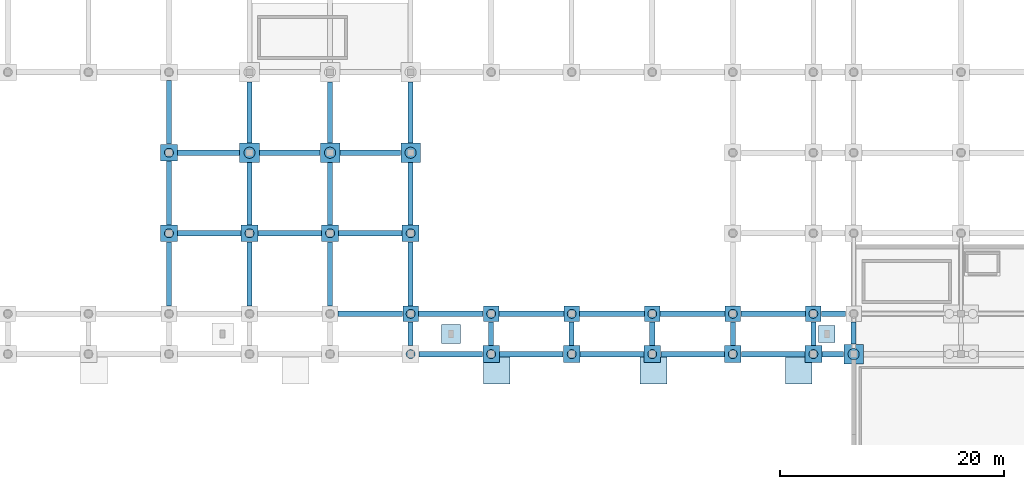
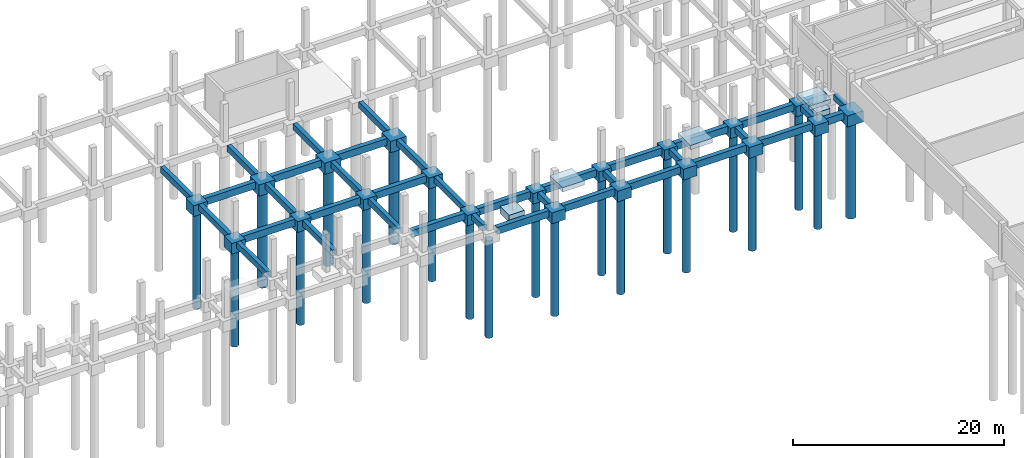
# One storey, part 6 of 20: 63 footings, 21 piles.
"""IFC4 building model written with IfcOpenShell, lengths in metres."""

from ifc_helpers import new_model, si_unit, direction, frame, origin, origin_2d, place, context, subcontext, project, spatial, polyline, rectangle, circle, outline, extrude, material, material_profile, profile_set, type_object, element, save


model = new_model("IFC4")

# Units and contexts
model_context = context("Model", 3, precision=1e-05, world=origin(), true_north=direction((0.0, 1.0)))
body_context = subcontext(model_context, "Body", "Model", "MODEL_VIEW")
ifc_project = project(units=[si_unit("LENGTHUNIT", "METRE"), si_unit("AREAUNIT", "SQUARE_METRE"), si_unit("VOLUMEUNIT", "CUBIC_METRE"), si_unit("PLANEANGLEUNIT", "RADIAN"), si_unit("MASSUNIT", "GRAM", prefix="KILO")], contexts=[model_context])

# Site, building, storey
site_placement = place(None, origin())
site = spatial("IfcSite", under=ifc_project, at=site_placement, CompositionType="ELEMENT")
building_placement = place(site_placement, origin())
building = spatial("IfcBuilding", under=site, at=building_placement, Name="Nzembalo Square Collegiate School", CompositionType="ELEMENT")
storey_placement = place(building_placement, frame((0.0, 0.0, -4.080078125)))
storey = spatial("IfcBuildingStorey", under=building, at=storey_placement, Name="B1", CompositionType="ELEMENT", Elevation=-4.080078125)

# Footings
ifc_material_1 = material(Name="Concrete C35/45", Category="concrete")
footing_type_1 = type_object("IfcFootingType", Name="PC05", PredefinedType="PILE_CAP", material=ifc_material_1)
for number, where, z_axis, x_axis, name in (
    (1, (76.800048828125, 97.199951171875, -1.60009765625), (0.0, 0.0, 1.0), (1.0, 0.0, 0.0), "Pile cap PC05 at 12/O"),
    (2, (84.0, 97.199951171875, -1.60009765625), (0.0, 0.0, 1.0), (1.0, 0.0, 0.0), "Pile cap PC05 at 13/O"),
    (3, (91.199951171875, 97.199951171875, -1.60009765625), (0.0, 0.0, 1.0), (1.0, 0.0, 0.0), "Pile cap PC05 at 14/O"),
    (4, (130.800048828125, 79.199951171875, -1.60009765625), (0.0, 0.0, 1.0), (1.0, 0.0, 0.0), "Pile cap PC05 at 20/L"),
):
    element("IfcFooting", number, at=place(storey_placement, frame(where, z_axis=z_axis, x_axis=x_axis)), inside=storey, type_object=footing_type_1, Name=name, PredefinedType="PILE_CAP", context=body_context, shape_type="SweptSolid", body=[
        extrude(rectangle(XDim=1.75, YDim=1.75, at=origin_2d()), origin(), (0.0, 0.0, 1.0), 1.300048828125),
    ])
ifc_material_2 = material(Name="Concrete C35/45", Category="concrete")
footing_type_2 = type_object("IfcFootingType", Name="PC06", PredefinedType="PILE_CAP", material=ifc_material_2)
for number, where, z_axis, x_axis, name in (
    (5, (69.60009765625, 90.0, -1.5498046875), (0.0, 0.0, 1.0), (1.0, 0.0, 0.0), "Pile cap PC06 at 11/N"),
    (6, (69.60009765625, 97.199951171875, -1.5498046875), (0.0, 0.0, 1.0), (1.0, 0.0, 0.0), "Pile cap PC06 at 11/O"),
    (7, (76.800048828125, 90.0, -1.5498046875), (0.0, 0.0, 1.0), (1.0, 0.0, 0.0), "Pile cap PC06 at 12/N"),
    (8, (84.0, 90.0, -1.5498046875), (0.0, 0.0, 1.0), (1.0, 0.0, 0.0), "Pile cap PC06 at 13/N"),
    (9, (91.199951171875, 90.0, -1.5498046875), (0.0, 0.0, 1.0), (1.0, 0.0, 0.0), "Pile cap PC06 at 14/N"),
    (10, (98.39990234375, 79.199951171875, -1.5498046875), (0.0, 0.0, 1.0), (1.0, 0.0, 0.0), "Pile cap PC06 at 15/L"),
    (11, (105.60009765625, 79.199951171875, -1.5498046875), (0.0, 0.0, 1.0), (1.0, 0.0, 0.0), "Pile cap PC06 at 16/L"),
    (12, (112.800048828125, 79.199951171875, -1.5498046875), (0.0, 0.0, 1.0), (1.0, 0.0, 0.0), "Pile cap PC06 at 17/L"),
    (13, (120.0, 79.199951171875, -1.5498046875), (0.0, 0.0, 1.0), (1.0, 0.0, 0.0), "Pile cap PC06 at 18/L"),
    (14, (127.199951171875, 79.199951171875, -1.5498046875), (0.0, 0.0, 1.0), (1.0, 0.0, 0.0), "Pile cap PC06 at 19/L"),
):
    element("IfcFooting", number, at=place(storey_placement, frame(where, z_axis=z_axis, x_axis=x_axis)), inside=storey, type_object=footing_type_2, Name=name, PredefinedType="PILE_CAP", context=body_context, shape_type="SweptSolid", body=[
        extrude(rectangle(XDim=1.5, YDim=1.5, at=origin_2d()), origin(), (0.0, 0.0, 1.0), 1.25),
    ])
ifc_material_3 = material(Name="Concrete C35/45", Category="concrete")
footing_type_3 = type_object("IfcFootingType", Name="PC07", PredefinedType="PILE_CAP", material=ifc_material_3)
for number, where, z_axis, x_axis, name in (
    (15, (91.199951171875, 82.800048828125, -1.5), (0.0, 0.0, 1.0), (1.0, 0.0, 0.0), "Pile cap PC07 at 14/M"),
    (16, (98.39990234375, 82.800048828125, -1.5), (0.0, 0.0, 1.0), (1.0, 0.0, 0.0), "Pile cap PC07 at 15/M"),
    (17, (105.60009765625, 82.800048828125, -1.5), (0.0, 0.0, 1.0), (1.0, 0.0, 0.0), "Pile cap PC07 at 16/M"),
    (18, (112.800048828125, 82.800048828125, -1.5), (0.0, 0.0, 1.0), (1.0, 0.0, 0.0), "Pile cap PC07 at 17/M"),
    (19, (120.0, 82.800048828125, -1.5), (0.0, 0.0, 1.0), (1.0, 0.0, 0.0), "Pile cap PC07 at 18/M"),
    (20, (127.199951171875, 82.800048828125, -1.5), (0.0, 0.0, 1.0), (1.0, 0.0, 0.0), "Pile cap PC07 at 19/M"),
):
    element("IfcFooting", number, at=place(storey_placement, frame(where, z_axis=z_axis, x_axis=x_axis)), inside=storey, type_object=footing_type_3, Name=name, PredefinedType="PILE_CAP", context=body_context, shape_type="SweptSolid", body=[
        extrude(rectangle(XDim=1.39990234375, YDim=1.39990234375, at=origin_2d()), origin(), (0.0, 0.0, 1.0), 1.199951171875),
    ])
ifc_material_4 = material(Name="Concrete C30/37", Category="concrete")
footing_type_4 = type_object("IfcFootingType", Name="FG01", PredefinedType="FOOTING_BEAM", material=ifc_material_4)
footing_1_placement = place(storey_placement, frame((0.0, 0.0, -1.099853515625)))
element("IfcFooting", 21, at=footing_1_placement, inside=storey, type_object=footing_type_4, Name="Ground beam FG01 14-15/L", PredefinedType="FOOTING_BEAM", context=body_context, shape_type="SweptSolid", body=[
    extrude(outline(polyline([(91.9599609375, 78.949951171875), (97.639892578125, 78.949951171875), (97.639892578125, 79.449951171875), (91.9599609375, 79.449951171875), (91.9599609375, 78.949951171875)])), origin(), (0.0, 0.0, 1.0), 0.800048828125),
])
footing_2_placement = place(storey_placement, frame((0.0, 0.0, -1.099853515625)))
element("IfcFooting", 22, at=footing_2_placement, inside=storey, type_object=footing_type_4, Name="Ground beam FG01 15-16/L", PredefinedType="FOOTING_BEAM", context=body_context, shape_type="SweptSolid", body=[
    extrude(outline(polyline([(99.159912109375, 78.949951171875), (104.840087890625, 78.949951171875), (104.840087890625, 79.449951171875), (99.159912109375, 79.449951171875), (99.159912109375, 78.949951171875)])), origin(), (0.0, 0.0, 1.0), 0.800048828125),
])
footing_3_placement = place(storey_placement, frame((0.0, 0.0, -1.099853515625)))
element("IfcFooting", 23, at=footing_3_placement, inside=storey, type_object=footing_type_4, Name="Ground beam FG01 16-17/L", PredefinedType="FOOTING_BEAM", context=body_context, shape_type="SweptSolid", body=[
    extrude(outline(polyline([(106.360107421875, 78.949951171875), (112.0400390625, 78.949951171875), (112.0400390625, 79.449951171875), (106.360107421875, 79.449951171875), (106.360107421875, 78.949951171875)])), origin(), (0.0, 0.0, 1.0), 0.800048828125),
])
footing_4_placement = place(storey_placement, frame((0.0, 0.0, -1.099853515625)))
element("IfcFooting", 24, at=footing_4_placement, inside=storey, type_object=footing_type_4, Name="Ground beam FG01 17-18/L", PredefinedType="FOOTING_BEAM", context=body_context, shape_type="SweptSolid", body=[
    extrude(outline(polyline([(113.56005859375, 78.949951171875), (119.239990234375, 78.949951171875), (119.239990234375, 79.449951171875), (113.56005859375, 79.449951171875), (113.56005859375, 78.949951171875)])), origin(), (0.0, 0.0, 1.0), 0.800048828125),
])
footing_5_placement = place(storey_placement, frame((0.0, 0.0, -1.099853515625)))
element("IfcFooting", 25, at=footing_5_placement, inside=storey, type_object=footing_type_4, Name="Ground beam FG01 18-19/L", PredefinedType="FOOTING_BEAM", context=body_context, shape_type="SweptSolid", body=[
    extrude(outline(polyline([(120.760009765625, 78.949951171875), (126.43994140625, 78.949951171875), (126.43994140625, 79.449951171875), (120.760009765625, 79.449951171875), (120.760009765625, 78.949951171875)])), origin(), (0.0, 0.0, 1.0), 0.800048828125),
])
footing_6_placement = place(storey_placement, frame((0.0, 0.0, -1.099853515625)))
element("IfcFooting", 26, at=footing_6_placement, inside=storey, type_object=footing_type_4, Name="Ground beam FG01 19-20/L", PredefinedType="FOOTING_BEAM", context=body_context, shape_type="SweptSolid", body=[
    extrude(outline(polyline([(127.9599609375, 78.949951171875), (129.9150390625, 78.949951171875), (129.9150390625, 79.449951171875), (127.9599609375, 79.449951171875), (127.9599609375, 78.949951171875)])), origin(), (0.0, 0.0, 1.0), 0.800048828125),
])
footing_7_placement = place(storey_placement, frame((0.0, 0.0, -1.099853515625)))
element("IfcFooting", 27, at=footing_7_placement, inside=storey, type_object=footing_type_4, Name="Ground beam FG01 13-14/M", PredefinedType="FOOTING_BEAM", context=body_context, shape_type="SweptSolid", body=[
    extrude(outline(polyline([(84.7099609375, 82.550048828125), (90.489990234375, 82.550048828125), (90.489990234375, 83.050048828125), (84.7099609375, 83.050048828125), (84.7099609375, 82.550048828125)])), origin(), (0.0, 0.0, 1.0), 0.800048828125),
])
footing_8_placement = place(storey_placement, frame((0.0, 0.0, -1.099853515625)))
element("IfcFooting", 28, at=footing_8_placement, inside=storey, type_object=footing_type_4, Name="Ground beam FG01 14-15/M", PredefinedType="FOOTING_BEAM", context=body_context, shape_type="SweptSolid", body=[
    extrude(outline(polyline([(91.909912109375, 82.550048828125), (97.68994140625, 82.550048828125), (97.68994140625, 83.050048828125), (91.909912109375, 83.050048828125), (91.909912109375, 82.550048828125)])), origin(), (0.0, 0.0, 1.0), 0.800048828125),
])
footing_9_placement = place(storey_placement, frame((0.0, 0.0, -1.099853515625)))
element("IfcFooting", 29, at=footing_9_placement, inside=storey, type_object=footing_type_4, Name="Ground beam FG01 15-16/M", PredefinedType="FOOTING_BEAM", context=body_context, shape_type="SweptSolid", body=[
    extrude(outline(polyline([(99.110107421875, 82.550048828125), (104.889892578125, 82.550048828125), (104.889892578125, 83.050048828125), (99.110107421875, 83.050048828125), (99.110107421875, 82.550048828125)])), origin(), (0.0, 0.0, 1.0), 0.800048828125),
])
footing_10_placement = place(storey_placement, frame((0.0, 0.0, -1.099853515625)))
element("IfcFooting", 30, at=footing_10_placement, inside=storey, type_object=footing_type_4, Name="Ground beam FG01 16-17/M", PredefinedType="FOOTING_BEAM", context=body_context, shape_type="SweptSolid", body=[
    extrude(outline(polyline([(106.31005859375, 82.550048828125), (112.090087890625, 82.550048828125), (112.090087890625, 83.050048828125), (106.31005859375, 83.050048828125), (106.31005859375, 82.550048828125)])), origin(), (0.0, 0.0, 1.0), 0.800048828125),
])
footing_11_placement = place(storey_placement, frame((0.0, 0.0, -1.099853515625)))
element("IfcFooting", 31, at=footing_11_placement, inside=storey, type_object=footing_type_4, Name="Ground beam FG01 17-18/M", PredefinedType="FOOTING_BEAM", context=body_context, shape_type="SweptSolid", body=[
    extrude(outline(polyline([(113.510009765625, 82.550048828125), (119.2900390625, 82.550048828125), (119.2900390625, 83.050048828125), (113.510009765625, 83.050048828125), (113.510009765625, 82.550048828125)])), origin(), (0.0, 0.0, 1.0), 0.800048828125),
])
footing_12_placement = place(storey_placement, frame((0.0, 0.0, -1.099853515625)))
element("IfcFooting", 32, at=footing_12_placement, inside=storey, type_object=footing_type_4, Name="Ground beam FG01 18-19/M", PredefinedType="FOOTING_BEAM", context=body_context, shape_type="SweptSolid", body=[
    extrude(outline(polyline([(120.7099609375, 82.550048828125), (126.489990234375, 82.550048828125), (126.489990234375, 83.050048828125), (120.7099609375, 83.050048828125), (120.7099609375, 82.550048828125)])), origin(), (0.0, 0.0, 1.0), 0.800048828125),
])
footing_13_placement = place(storey_placement, frame((0.0, 0.0, -1.099853515625)))
element("IfcFooting", 33, at=footing_13_placement, inside=storey, type_object=footing_type_4, Name="Ground beam FG01 19-20/M", PredefinedType="FOOTING_BEAM", context=body_context, shape_type="SweptSolid", body=[
    extrude(outline(polyline([(127.909912109375, 82.550048828125), (130.090087890625, 82.550048828125), (130.090087890625, 83.050048828125), (127.909912109375, 83.050048828125), (127.909912109375, 82.550048828125)])), origin(), (0.0, 0.0, 1.0), 0.800048828125),
])
footing_14_placement = place(storey_placement, frame((0.0, 0.0, -1.099853515625)))
element("IfcFooting", 34, at=footing_14_placement, inside=storey, type_object=footing_type_4, Name="Ground beam FG01 11-12/N", PredefinedType="FOOTING_BEAM", context=body_context, shape_type="SweptSolid", body=[
    extrude(outline(polyline([(70.360107421875, 89.75), (76.0400390625, 89.75), (76.0400390625, 90.25), (70.360107421875, 90.25), (70.360107421875, 89.75)])), origin(), (0.0, 0.0, 1.0), 0.800048828125),
])
footing_15_placement = place(storey_placement, frame((0.0, 0.0, -1.099853515625)))
element("IfcFooting", 35, at=footing_15_placement, inside=storey, type_object=footing_type_4, Name="Ground beam FG01 12-13/N", PredefinedType="FOOTING_BEAM", context=body_context, shape_type="SweptSolid", body=[
    extrude(outline(polyline([(77.56005859375, 89.75), (83.239990234375, 89.75), (83.239990234375, 90.25), (77.56005859375, 90.25), (77.56005859375, 89.75)])), origin(), (0.0, 0.0, 1.0), 0.800048828125),
])
footing_16_placement = place(storey_placement, frame((0.0, 0.0, -1.099853515625)))
element("IfcFooting", 36, at=footing_16_placement, inside=storey, type_object=footing_type_4, Name="Ground beam FG01 13-14/N", PredefinedType="FOOTING_BEAM", context=body_context, shape_type="SweptSolid", body=[
    extrude(outline(polyline([(84.760009765625, 89.75), (90.43994140625, 89.75), (90.43994140625, 90.25), (84.760009765625, 90.25), (84.760009765625, 89.75)])), origin(), (0.0, 0.0, 1.0), 0.800048828125),
])
footing_17_placement = place(storey_placement, frame((0.0, 0.0, -1.099853515625)))
element("IfcFooting", 37, at=footing_17_placement, inside=storey, type_object=footing_type_4, Name="Ground beam FG01 11-12/O", PredefinedType="FOOTING_BEAM", context=body_context, shape_type="SweptSolid", body=[
    extrude(outline(polyline([(70.360107421875, 96.949951171875), (75.9150390625, 96.949951171875), (75.9150390625, 97.449951171875), (70.360107421875, 97.449951171875), (70.360107421875, 96.949951171875)])), origin(), (0.0, 0.0, 1.0), 0.800048828125),
])
footing_18_placement = place(storey_placement, frame((0.0, 0.0, -1.099853515625)))
element("IfcFooting", 38, at=footing_18_placement, inside=storey, type_object=footing_type_4, Name="Ground beam FG01 12-13/O", PredefinedType="FOOTING_BEAM", context=body_context, shape_type="SweptSolid", body=[
    extrude(outline(polyline([(77.68505859375, 96.949951171875), (83.114990234375, 96.949951171875), (83.114990234375, 97.449951171875), (77.68505859375, 97.449951171875), (77.68505859375, 96.949951171875)])), origin(), (0.0, 0.0, 1.0), 0.800048828125),
])
footing_19_placement = place(storey_placement, frame((0.0, 0.0, -1.099853515625)))
element("IfcFooting", 39, at=footing_19_placement, inside=storey, type_object=footing_type_4, Name="Ground beam FG01 13-14/O", PredefinedType="FOOTING_BEAM", context=body_context, shape_type="SweptSolid", body=[
    extrude(outline(polyline([(84.885009765625, 96.949951171875), (90.31494140625, 96.949951171875), (90.31494140625, 97.449951171875), (84.885009765625, 97.449951171875), (84.885009765625, 96.949951171875)])), origin(), (0.0, 0.0, 1.0), 0.800048828125),
])
ifc_material_5 = material(Name="Concrete C30/37", Category="concrete")
footing_type_5 = type_object("IfcFootingType", Name="FG02", PredefinedType="FOOTING_BEAM", material=ifc_material_5)
footing_20_placement = place(storey_placement, frame((0.0, 0.0, -1.0)))
element("IfcFooting", 40, at=footing_20_placement, inside=storey, type_object=footing_type_5, Name="Ground beam FG02 11/M-N", PredefinedType="FOOTING_BEAM", context=body_context, shape_type="SweptSolid", body=[
    extrude(outline(polyline([(69.375, 83.510009765625), (69.824951171875, 83.510009765625), (69.824951171875, 89.239990234375), (69.375, 89.239990234375), (69.375, 83.510009765625)])), origin(), (0.0, 0.0, 1.0), 0.7001953125),
])
footing_21_placement = place(storey_placement, frame((0.0, 0.0, -1.0)))
element("IfcFooting", 41, at=footing_21_placement, inside=storey, type_object=footing_type_5, Name="Ground beam FG02 11/N-O", PredefinedType="FOOTING_BEAM", context=body_context, shape_type="SweptSolid", body=[
    extrude(outline(polyline([(69.375, 90.760009765625), (69.824951171875, 90.760009765625), (69.824951171875, 96.43994140625), (69.375, 96.43994140625), (69.375, 90.760009765625)])), origin(), (0.0, 0.0, 1.0), 0.7001953125),
])
footing_22_placement = place(storey_placement, frame((0.0, 0.0, -1.0)))
element("IfcFooting", 42, at=footing_22_placement, inside=storey, type_object=footing_type_5, Name="Ground beam FG02 11/O-P", PredefinedType="FOOTING_BEAM", context=body_context, shape_type="SweptSolid", body=[
    extrude(outline(polyline([(69.375, 97.9599609375), (69.824951171875, 97.9599609375), (69.824951171875, 103.639892578125), (69.375, 103.639892578125), (69.375, 97.9599609375)])), origin(), (0.0, 0.0, 1.0), 0.7001953125),
])
footing_23_placement = place(storey_placement, frame((0.0, 0.0, -1.0)))
element("IfcFooting", 43, at=footing_23_placement, inside=storey, type_object=footing_type_5, Name="Ground beam FG02 12/M-N", PredefinedType="FOOTING_BEAM", context=body_context, shape_type="SweptSolid", body=[
    extrude(outline(polyline([(76.574951171875, 83.510009765625), (77.02490234375, 83.510009765625), (77.02490234375, 89.239990234375), (76.574951171875, 89.239990234375), (76.574951171875, 83.510009765625)])), origin(), (0.0, 0.0, 1.0), 0.7001953125),
])
footing_24_placement = place(storey_placement, frame((0.0, 0.0, -1.0)))
element("IfcFooting", 44, at=footing_24_placement, inside=storey, type_object=footing_type_5, Name="Ground beam FG02 12/N-O", PredefinedType="FOOTING_BEAM", context=body_context, shape_type="SweptSolid", body=[
    extrude(outline(polyline([(76.574951171875, 90.760009765625), (77.02490234375, 90.760009765625), (77.02490234375, 96.31494140625), (76.574951171875, 96.31494140625), (76.574951171875, 90.760009765625)])), origin(), (0.0, 0.0, 1.0), 0.7001953125),
])
footing_25_placement = place(storey_placement, frame((0.0, 0.0, -1.0)))
element("IfcFooting", 45, at=footing_25_placement, inside=storey, type_object=footing_type_5, Name="Ground beam FG02 12/O-P", PredefinedType="FOOTING_BEAM", context=body_context, shape_type="SweptSolid", body=[
    extrude(outline(polyline([(76.574951171875, 98.0849609375), (77.02490234375, 98.0849609375), (77.02490234375, 103.514892578125), (76.574951171875, 103.514892578125), (76.574951171875, 98.0849609375)])), origin(), (0.0, 0.0, 1.0), 0.7001953125),
])
footing_26_placement = place(storey_placement, frame((0.0, 0.0, -1.0)))
element("IfcFooting", 46, at=footing_26_placement, inside=storey, type_object=footing_type_5, Name="Ground beam FG02 13/M-N", PredefinedType="FOOTING_BEAM", context=body_context, shape_type="SweptSolid", body=[
    extrude(outline(polyline([(83.77490234375, 83.510009765625), (84.22509765625, 83.510009765625), (84.22509765625, 89.239990234375), (83.77490234375, 89.239990234375), (83.77490234375, 83.510009765625)])), origin(), (0.0, 0.0, 1.0), 0.7001953125),
])
footing_27_placement = place(storey_placement, frame((0.0, 0.0, -1.0)))
element("IfcFooting", 47, at=footing_27_placement, inside=storey, type_object=footing_type_5, Name="Ground beam FG02 13/N-O", PredefinedType="FOOTING_BEAM", context=body_context, shape_type="SweptSolid", body=[
    extrude(outline(polyline([(83.77490234375, 90.760009765625), (84.22509765625, 90.760009765625), (84.22509765625, 96.31494140625), (83.77490234375, 96.31494140625), (83.77490234375, 90.760009765625)])), origin(), (0.0, 0.0, 1.0), 0.7001953125),
])
footing_28_placement = place(storey_placement, frame((0.0, 0.0, -1.0)))
element("IfcFooting", 48, at=footing_28_placement, inside=storey, type_object=footing_type_5, Name="Ground beam FG02 13/O-P", PredefinedType="FOOTING_BEAM", context=body_context, shape_type="SweptSolid", body=[
    extrude(outline(polyline([(83.77490234375, 98.0849609375), (84.22509765625, 98.0849609375), (84.22509765625, 103.514892578125), (83.77490234375, 103.514892578125), (83.77490234375, 98.0849609375)])), origin(), (0.0, 0.0, 1.0), 0.7001953125),
])
footing_29_placement = place(storey_placement, frame((0.0, 0.0, -1.0)))
element("IfcFooting", 49, at=footing_29_placement, inside=storey, type_object=footing_type_5, Name="Ground beam FG02 14/L-M", PredefinedType="FOOTING_BEAM", context=body_context, shape_type="SweptSolid", body=[
    extrude(outline(polyline([(90.97509765625, 79.9599609375), (91.425048828125, 79.9599609375), (91.425048828125, 82.090087890625), (90.97509765625, 82.090087890625), (90.97509765625, 79.9599609375)])), origin(), (0.0, 0.0, 1.0), 0.7001953125),
])
footing_30_placement = place(storey_placement, frame((0.0, 0.0, -1.0)))
element("IfcFooting", 50, at=footing_30_placement, inside=storey, type_object=footing_type_5, Name="Ground beam FG02 14/M-N", PredefinedType="FOOTING_BEAM", context=body_context, shape_type="SweptSolid", body=[
    extrude(outline(polyline([(90.97509765625, 83.510009765625), (91.425048828125, 83.510009765625), (91.425048828125, 89.239990234375), (90.97509765625, 89.239990234375), (90.97509765625, 83.510009765625)])), origin(), (0.0, 0.0, 1.0), 0.7001953125),
])
footing_31_placement = place(storey_placement, frame((0.0, 0.0, -1.0)))
element("IfcFooting", 51, at=footing_31_placement, inside=storey, type_object=footing_type_5, Name="Ground beam FG02 14/N-O", PredefinedType="FOOTING_BEAM", context=body_context, shape_type="SweptSolid", body=[
    extrude(outline(polyline([(90.97509765625, 90.760009765625), (91.425048828125, 90.760009765625), (91.425048828125, 96.31494140625), (90.97509765625, 96.31494140625), (90.97509765625, 90.760009765625)])), origin(), (0.0, 0.0, 1.0), 0.7001953125),
])
footing_32_placement = place(storey_placement, frame((0.0, 0.0, -1.0)))
element("IfcFooting", 52, at=footing_32_placement, inside=storey, type_object=footing_type_5, Name="Ground beam FG02 14/O-P", PredefinedType="FOOTING_BEAM", context=body_context, shape_type="SweptSolid", body=[
    extrude(outline(polyline([(90.97509765625, 98.0849609375), (91.425048828125, 98.0849609375), (91.425048828125, 103.514892578125), (90.97509765625, 103.514892578125), (90.97509765625, 98.0849609375)])), origin(), (0.0, 0.0, 1.0), 0.7001953125),
])
footing_33_placement = place(storey_placement, frame((0.0, 0.0, -1.0)))
element("IfcFooting", 53, at=footing_33_placement, inside=storey, type_object=footing_type_5, Name="Ground beam FG02 15/L-M", PredefinedType="FOOTING_BEAM", context=body_context, shape_type="SweptSolid", body=[
    extrude(outline(polyline([(98.175048828125, 79.9599609375), (98.625, 79.9599609375), (98.625, 82.090087890625), (98.175048828125, 82.090087890625), (98.175048828125, 79.9599609375)])), origin(), (0.0, 0.0, 1.0), 0.7001953125),
])
footing_34_placement = place(storey_placement, frame((0.0, 0.0, -1.0)))
element("IfcFooting", 54, at=footing_34_placement, inside=storey, type_object=footing_type_5, Name="Ground beam FG02 16/L-M", PredefinedType="FOOTING_BEAM", context=body_context, shape_type="SweptSolid", body=[
    extrude(outline(polyline([(105.375, 79.9599609375), (105.824951171875, 79.9599609375), (105.824951171875, 82.090087890625), (105.375, 82.090087890625), (105.375, 79.9599609375)])), origin(), (0.0, 0.0, 1.0), 0.7001953125),
])
footing_35_placement = place(storey_placement, frame((0.0, 0.0, -1.0)))
element("IfcFooting", 55, at=footing_35_placement, inside=storey, type_object=footing_type_5, Name="Ground beam FG02 17/L-M", PredefinedType="FOOTING_BEAM", context=body_context, shape_type="SweptSolid", body=[
    extrude(outline(polyline([(112.574951171875, 79.9599609375), (113.02490234375, 79.9599609375), (113.02490234375, 82.090087890625), (112.574951171875, 82.090087890625), (112.574951171875, 79.9599609375)])), origin(), (0.0, 0.0, 1.0), 0.7001953125),
])
footing_36_placement = place(storey_placement, frame((0.0, 0.0, -1.0)))
element("IfcFooting", 56, at=footing_36_placement, inside=storey, type_object=footing_type_5, Name="Ground beam FG02 18/L-M", PredefinedType="FOOTING_BEAM", context=body_context, shape_type="SweptSolid", body=[
    extrude(outline(polyline([(119.77490234375, 79.9599609375), (120.22509765625, 79.9599609375), (120.22509765625, 82.090087890625), (119.77490234375, 82.090087890625), (119.77490234375, 79.9599609375)])), origin(), (0.0, 0.0, 1.0), 0.7001953125),
])
footing_37_placement = place(storey_placement, frame((0.0, 0.0, -1.0)))
element("IfcFooting", 57, at=footing_37_placement, inside=storey, type_object=footing_type_5, Name="Ground beam FG02 19/L-M", PredefinedType="FOOTING_BEAM", context=body_context, shape_type="SweptSolid", body=[
    extrude(outline(polyline([(126.97509765625, 79.9599609375), (127.425048828125, 79.9599609375), (127.425048828125, 82.090087890625), (126.97509765625, 82.090087890625), (126.97509765625, 79.9599609375)])), origin(), (0.0, 0.0, 1.0), 0.7001953125),
])
footing_38_placement = place(storey_placement, frame((0.0, 0.0, -1.0)))
element("IfcFooting", 58, at=footing_38_placement, inside=storey, type_object=footing_type_5, Name="Ground beam FG02 20/L-M", PredefinedType="FOOTING_BEAM", context=body_context, shape_type="SweptSolid", body=[
    extrude(outline(polyline([(130.574951171875, 80.0849609375), (131.02490234375, 80.0849609375), (131.02490234375, 82.090087890625), (130.574951171875, 82.090087890625), (130.574951171875, 80.0849609375)])), origin(), (0.0, 0.0, 1.0), 0.7001953125),
])
ifc_material_6 = material(Name="Concrete C35/45", Category="concrete")
footing_type_6 = type_object("IfcFootingType", Name="PF03", PredefinedType="PAD_FOOTING", material=ifc_material_6)
footing_39_placement = place(storey_placement, frame((94.800048828125, 81.0, -1.10009765625), z_axis=(0.0, 0.0, 1.0), x_axis=(1.0, 0.0, 0.0)))
element("IfcFooting", 59, at=footing_39_placement, inside=storey, type_object=footing_type_6, Name="Pad footing PF3", PredefinedType="PAD_FOOTING", context=body_context, shape_type="SweptSolid", body=[
    extrude(rectangle(XDim=1.699951171875, YDim=1.699951171875, at=origin_2d()), origin(), (0.0, 0.0, 1.0), 0.800048828125),
])
ifc_material_7 = material(Name="Concrete C35/45", Category="concrete")
footing_type_7 = type_object("IfcFootingType", Name="PF04", PredefinedType="PAD_FOOTING", material=ifc_material_7)
footing_40_placement = place(storey_placement, frame((128.39990234375, 81.0, -1.0498046875), z_axis=(0.0, 0.0, 1.0), x_axis=(1.0, 0.0, 0.0)))
element("IfcFooting", 60, at=footing_40_placement, inside=storey, type_object=footing_type_7, Name="Pad footing PF4", PredefinedType="PAD_FOOTING", context=body_context, shape_type="SweptSolid", body=[
    extrude(rectangle(XDim=1.5, YDim=1.5, at=origin_2d()), origin(), (0.0, 0.0, 1.0), 0.75),
])
ifc_material_8 = material(Name="Concrete C35/45", Category="concrete")
footing_type_8 = type_object("IfcFootingType", Name="PF05", PredefinedType="PAD_FOOTING", material=ifc_material_8)
for number, where, z_axis, x_axis, name in (
    (61, (98.89990234375, 77.719970703125, 3.260009765625), (0.0, 0.0, 1.0), (1.0, 0.0, 0.0), "Ramp foundation pad PF05-04"),
    (62, (112.89990234375, 77.719970703125, 3.260009765625), (0.0, 0.0, 1.0), (1.0, 0.0, 0.0), "Ramp foundation pad PF05-05"),
    (63, (125.89990234375, 77.719970703125, 3.260009765625), (0.0, 0.0, 1.0), (1.0, 0.0, 0.0), "Ramp foundation pad PF05-06"),
):
    element("IfcFooting", number, at=place(storey_placement, frame(where, z_axis=z_axis, x_axis=x_axis)), inside=storey, type_object=footing_type_8, Name=name, PredefinedType="PAD_FOOTING", context=body_context, shape_type="SweptSolid", body=[
        extrude(rectangle(XDim=2.39990234375, YDim=2.39990234375, at=origin_2d()), origin(), (0.0, 0.0, 1.0), 0.5),
    ])

# Piles
ifc_material_9 = material(Name="Concrete C30/37", Category="concrete")
ifc_material_profile_1 = material_profile(ifc_material_9, circle(Radius=0.5, at=origin_2d()), Name="PILE D1000")
ifc_profile_set_1 = profile_set([ifc_material_profile_1], Name="Concrete C30/37")
pile_type_1 = type_object("IfcPileType", Name="P01", PredefinedType="BORED", material=ifc_profile_set_1)
for number, where, z_axis, x_axis, name in (
    (64, (76.800048828125, 97.199951171875, -1.5), (0.0, 0.0, -1.0), (1.0, 0.0, 0.0), "Bored pile P01-028"),
    (65, (84.0, 97.199951171875, -1.5), (0.0, 0.0, -1.0), (1.0, 0.0, 0.0), "Bored pile P01-034"),
    (66, (91.199951171875, 97.199951171875, -1.5), (0.0, 0.0, -1.0), (1.0, 0.0, 0.0), "Bored pile P01-040"),
    (67, (130.800048828125, 79.199951171875, -1.5), (0.0, 0.0, -1.0), (1.0, 0.0, 0.0), "Bored pile P01-096"),
):
    element("IfcPile", number, at=place(storey_placement, frame(where, z_axis=z_axis, x_axis=x_axis)), inside=storey, type_object=pile_type_1, Name=name, PredefinedType="BORED", context=body_context, shape_type="SweptSolid", body=[
        extrude(circle(Radius=0.5, at=origin_2d()), origin(), (0.0, 0.0, 1.0), 11.219970703125),
    ])
ifc_material_10 = material(Name="Concrete C30/37", Category="concrete")
ifc_material_profile_2 = material_profile(ifc_material_10, circle(Radius=0.39990234375, at=origin_2d()), Name="PILE D800")
ifc_profile_set_2 = profile_set([ifc_material_profile_2], Name="Concrete C30/37")
pile_type_2 = type_object("IfcPileType", Name="P02", PredefinedType="BORED", material=ifc_profile_set_2)
for number, where, z_axis, x_axis, name in (
    (68, (69.60009765625, 90.0, -1.449951171875), (0.0, 0.0, -1.0), (1.0, 0.0, 0.0), "Bored pile P02-021"),
    (69, (69.60009765625, 97.199951171875, -1.449951171875), (0.0, 0.0, -1.0), (1.0, 0.0, 0.0), "Bored pile P02-022"),
    (70, (76.800048828125, 90.0, -1.449951171875), (0.0, 0.0, -1.0), (1.0, 0.0, 0.0), "Bored pile P02-027"),
    (71, (84.0, 90.0, -1.449951171875), (0.0, 0.0, -1.0), (1.0, 0.0, 0.0), "Bored pile P02-033"),
    (72, (91.199951171875, 79.199951171875, -1.449951171875), (0.0, 0.0, -1.0), (1.0, 0.0, 0.0), "Bored pile P02-037"),
):
    element("IfcPile", number, at=place(storey_placement, frame(where, z_axis=z_axis, x_axis=x_axis)), inside=storey, type_object=pile_type_2, Name=name, PredefinedType="BORED", context=body_context, shape_type="SweptSolid", body=[
        extrude(circle(Radius=0.39990234375, at=origin_2d()), origin(), (0.0, 0.0, 1.0), 11.27001953125),
    ])
pile_1_placement = place(storey_placement, frame((91.199951171875, 82.800048828125, -1.39990234375), z_axis=(0.0, 0.0, -1.0), x_axis=(1.0, 0.0, 0.0)))
element("IfcPile", 73, at=pile_1_placement, inside=storey, type_object=pile_type_2, Name="Bored pile P02-038", PredefinedType="BORED", context=body_context, shape_type="SweptSolid", body=[
    extrude(circle(Radius=0.39990234375, at=origin_2d()), origin(), (0.0, 0.0, 1.0), 11.320068359375),
])
for number, where, z_axis, x_axis, name in (
    (74, (91.199951171875, 90.0, -1.449951171875), (0.0, 0.0, -1.0), (1.0, 0.0, 0.0), "Bored pile P02-039"),
    (75, (98.39990234375, 79.199951171875, -1.449951171875), (0.0, 0.0, -1.0), (1.0, 0.0, 0.0), "Bored pile P02-043"),
):
    element("IfcPile", number, at=place(storey_placement, frame(where, z_axis=z_axis, x_axis=x_axis)), inside=storey, type_object=pile_type_2, Name=name, PredefinedType="BORED", context=body_context, shape_type="SweptSolid", body=[
        extrude(circle(Radius=0.39990234375, at=origin_2d()), origin(), (0.0, 0.0, 1.0), 11.27001953125),
    ])
pile_2_placement = place(storey_placement, frame((98.39990234375, 82.800048828125, -1.39990234375), z_axis=(0.0, 0.0, -1.0), x_axis=(1.0, 0.0, 0.0)))
element("IfcPile", 76, at=pile_2_placement, inside=storey, type_object=pile_type_2, Name="Bored pile P02-044", PredefinedType="BORED", context=body_context, shape_type="SweptSolid", body=[
    extrude(circle(Radius=0.39990234375, at=origin_2d()), origin(), (0.0, 0.0, 1.0), 11.320068359375),
])
pile_3_placement = place(storey_placement, frame((105.60009765625, 79.199951171875, -1.449951171875), z_axis=(0.0, 0.0, -1.0), x_axis=(1.0, 0.0, 0.0)))
element("IfcPile", 77, at=pile_3_placement, inside=storey, type_object=pile_type_2, Name="Bored pile P02-047", PredefinedType="BORED", context=body_context, shape_type="SweptSolid", body=[
    extrude(circle(Radius=0.39990234375, at=origin_2d()), origin(), (0.0, 0.0, 1.0), 11.27001953125),
])
pile_4_placement = place(storey_placement, frame((105.60009765625, 82.800048828125, -1.39990234375), z_axis=(0.0, 0.0, -1.0), x_axis=(1.0, 0.0, 0.0)))
element("IfcPile", 78, at=pile_4_placement, inside=storey, type_object=pile_type_2, Name="Bored pile P02-048", PredefinedType="BORED", context=body_context, shape_type="SweptSolid", body=[
    extrude(circle(Radius=0.39990234375, at=origin_2d()), origin(), (0.0, 0.0, 1.0), 11.320068359375),
])
pile_5_placement = place(storey_placement, frame((112.800048828125, 79.199951171875, -1.449951171875), z_axis=(0.0, 0.0, -1.0), x_axis=(1.0, 0.0, 0.0)))
element("IfcPile", 79, at=pile_5_placement, inside=storey, type_object=pile_type_2, Name="Bored pile P02-051", PredefinedType="BORED", context=body_context, shape_type="SweptSolid", body=[
    extrude(circle(Radius=0.39990234375, at=origin_2d()), origin(), (0.0, 0.0, 1.0), 11.27001953125),
])
pile_6_placement = place(storey_placement, frame((112.800048828125, 82.800048828125, -1.39990234375), z_axis=(0.0, 0.0, -1.0), x_axis=(1.0, 0.0, 0.0)))
element("IfcPile", 80, at=pile_6_placement, inside=storey, type_object=pile_type_2, Name="Bored pile P02-052", PredefinedType="BORED", context=body_context, shape_type="SweptSolid", body=[
    extrude(circle(Radius=0.39990234375, at=origin_2d()), origin(), (0.0, 0.0, 1.0), 11.320068359375),
])
pile_7_placement = place(storey_placement, frame((120.0, 79.199951171875, -1.449951171875), z_axis=(0.0, 0.0, -1.0), x_axis=(1.0, 0.0, 0.0)))
element("IfcPile", 81, at=pile_7_placement, inside=storey, type_object=pile_type_2, Name="Bored pile P02-055", PredefinedType="BORED", context=body_context, shape_type="SweptSolid", body=[
    extrude(circle(Radius=0.39990234375, at=origin_2d()), origin(), (0.0, 0.0, 1.0), 11.27001953125),
])
pile_8_placement = place(storey_placement, frame((120.0, 82.800048828125, -1.39990234375), z_axis=(0.0, 0.0, -1.0), x_axis=(1.0, 0.0, 0.0)))
element("IfcPile", 82, at=pile_8_placement, inside=storey, type_object=pile_type_2, Name="Bored pile P02-056", PredefinedType="BORED", context=body_context, shape_type="SweptSolid", body=[
    extrude(circle(Radius=0.39990234375, at=origin_2d()), origin(), (0.0, 0.0, 1.0), 11.320068359375),
])
pile_9_placement = place(storey_placement, frame((127.199951171875, 79.199951171875, -1.449951171875), z_axis=(0.0, 0.0, -1.0), x_axis=(1.0, 0.0, 0.0)))
element("IfcPile", 83, at=pile_9_placement, inside=storey, type_object=pile_type_2, Name="Bored pile P02-061", PredefinedType="BORED", context=body_context, shape_type="SweptSolid", body=[
    extrude(circle(Radius=0.39990234375, at=origin_2d()), origin(), (0.0, 0.0, 1.0), 11.27001953125),
])
pile_10_placement = place(storey_placement, frame((127.199951171875, 82.800048828125, -1.39990234375), z_axis=(0.0, 0.0, -1.0), x_axis=(1.0, 0.0, 0.0)))
element("IfcPile", 84, at=pile_10_placement, inside=storey, type_object=pile_type_2, Name="Bored pile P02-062", PredefinedType="BORED", context=body_context, shape_type="SweptSolid", body=[
    extrude(circle(Radius=0.39990234375, at=origin_2d()), origin(), (0.0, 0.0, 1.0), 11.320068359375),
])

save(model, "model.ifc")
